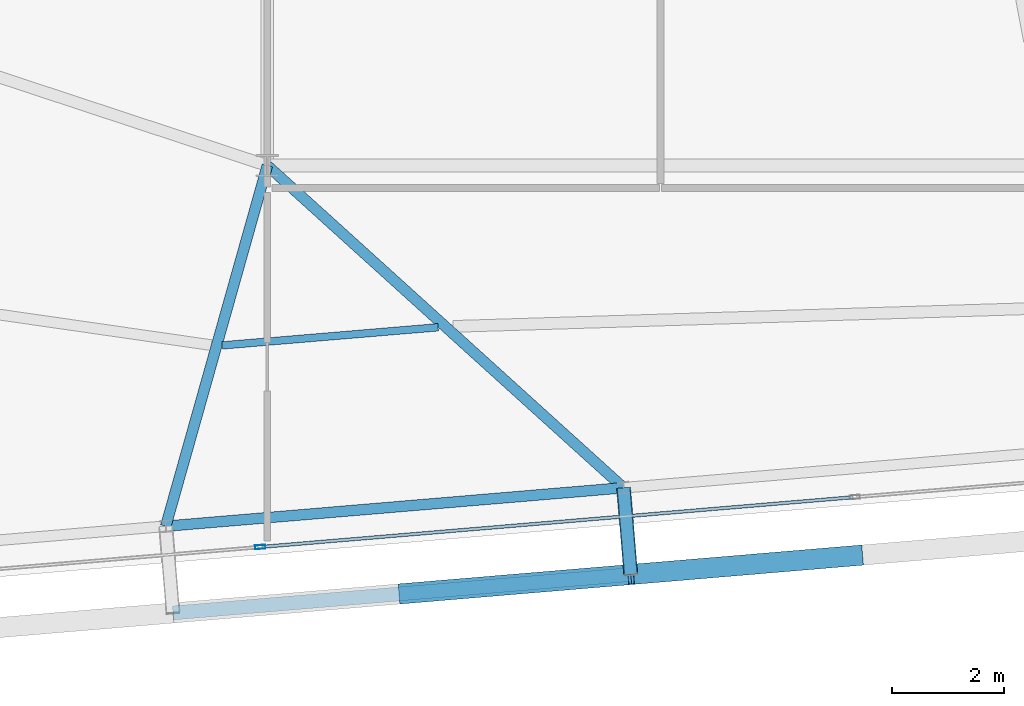
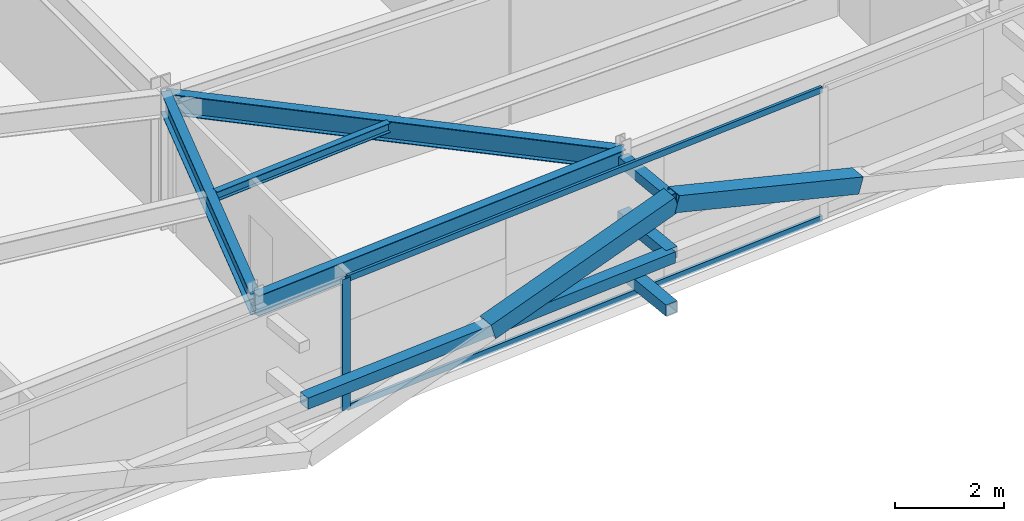
# One storey, part 9 of 39: 9 members, 4 beams, 1 element without a shape of its own.
"""IFC4 building model written with IfcOpenShell, lengths in metres."""

from ifc_helpers import new_model, si_unit, direction, frame, origin, origin_2d, place, context, subcontext, project, spatial, hollow_rectangle, i_section, extrude, source, transform, mapped, material, layer, layer_set, material_profile, profile_set, type_object, element, aggregate, save


model = new_model("IFC4")

# Units and contexts
model_context = context("Model", 3, precision=1e-05, world=origin(), true_north=direction((0.0, 1.0)))
body_context = subcontext(model_context, "Body", "Model", "MODEL_VIEW")
ifc_project = project(units=[si_unit("LENGTHUNIT", "METRE"), si_unit("AREAUNIT", "SQUARE_METRE"), si_unit("VOLUMEUNIT", "CUBIC_METRE"), si_unit("PLANEANGLEUNIT", "RADIAN"), si_unit("MASSUNIT", "GRAM", prefix="KILO")], contexts=[model_context])

# Site, building, storey
site_placement = place(None, origin())
site = spatial("IfcSite", under=ifc_project, at=site_placement, CompositionType="ELEMENT")
building_placement = place(site_placement, origin())
building = spatial("IfcBuilding", under=site, at=building_placement, Name="Taldren Reach Tower", CompositionType="ELEMENT")
storey_placement = place(building_placement, frame((0.0, 0.0, 175.699951171875)))
storey = spatial("IfcBuildingStorey", under=building, at=storey_placement, Name="L53", CompositionType="ELEMENT", Elevation=175.699951171875)

# Members
ifc_material_1 = material(Name="Steel Gr 350 (C350L0)", Category="steel")
ifc_material_profile_1 = material_profile(ifc_material_1, hollow_rectangle(XDim=0.25, YDim=0.25, WallThickness=0.010009765625, at=origin_2d()), Name="250x250x10.0SHS")
ifc_profile_set_1 = profile_set([ifc_material_profile_1], Name="Steel Gr 350 (C350L0)")
member_type_1 = type_object("IfcMemberType", Name="MB-POST250", PredefinedType="POST", material=ifc_profile_set_1)
shared_shape_1 = source(origin(), body_context, "Body", "SweptSolid", [
    extrude(hollow_rectangle(XDim=0.25, YDim=0.25, WallThickness=0.010009765625, at=origin_2d()), origin(), (0.0, 0.0, 1.0), 1.5498046875),
])
for number, where, z_axis, x_axis, name in (
    (1, (34.34228515625, 3.462890625, 0.219970703125), (0.083645141657, -0.996495604746, 0.0), (0.996495604746, 0.083645141657, 0.0), "Exoskeleton base diaphragm tie strut B4-S3 L53"),
    (2, (34.34228515625, 3.462890625, 1.43505859375), (0.083645141657, -0.996495604746, 0.0), (0.996495604746, 0.083645141657, 0.0), "Exoskeleton mid-tier diaphragm tie B4-S3 L53"),
):
    element("IfcMember", number, at=place(storey_placement, frame(where, z_axis=z_axis, x_axis=x_axis)), inside=storey, type_object=member_type_1, Name=name, PredefinedType="POST", context=body_context, shape_type="MappedRepresentation", body=[
        mapped(shared_shape_1, transform((0.0, 0.0, 0.0), scale=1.0)),
    ])

# Beams
ifc_material_2 = material(Name="Steel Gr 350 (350PLUS)", Category="steel")
ifc_material_profile_2 = material_profile(ifc_material_2, i_section(OverallWidth=0.18994140625, OverallDepth=0.4541015625, WebThickness=0.008544921875, FlangeThickness=0.0126953125, at=origin_2d()), Name="460UB67.1")
ifc_profile_set_2 = profile_set([ifc_material_profile_2], Name="Steel Gr 350 (350PLUS)")
beam_type_1 = type_object("IfcBeamType", Name="SP-UB460B", PredefinedType="SPANDREL", material=ifc_profile_set_2)
shared_shape_2 = source(origin(), body_context, "Body", "SweptSolid", [
    extrude(i_section(OverallWidth=0.18994140625, OverallDepth=0.4541015625, WebThickness=0.008544921875, FlangeThickness=0.0126953125, at=origin_2d()), origin(), (0.0, 0.0, 1.0), 8.179931640625),
])
beam_1_placement = place(storey_placement, frame((26.19091796875, 2.778564453125, 2.703125), z_axis=(0.996494523218, 0.083658025296, 0.0), x_axis=(-0.083658025296, 0.996494523218, 0.0)))
element("IfcBeam", 3, at=beam_1_placement, inside=storey, type_object=beam_type_1, Name="Perimeter spandrel B4 S2-S3 L53", PredefinedType="SPANDREL", context=body_context, shape_type="MappedRepresentation", body=[
    mapped(shared_shape_2, transform((0.0, 0.0, 0.0), scale=1.0)),
])
ifc_material_profile_3 = material_profile(ifc_material_2, i_section(OverallWidth=0.19091796875, OverallDepth=0.4599609375, WebThickness=0.010009765625, FlangeThickness=0.01611328125, at=origin_2d()), Name="460UB82.1")
ifc_profile_set_3 = profile_set([ifc_material_profile_3], Name="Steel Gr 350 (350PLUS)")
beam_type_2 = type_object("IfcBeamType", Name="BM-UB460A", PredefinedType="BEAM", material=ifc_profile_set_3)
shared_shape_3 = source(origin(), body_context, "Body", "SweptSolid", [
    extrude(i_section(OverallWidth=0.19091796875, OverallDepth=0.4599609375, WebThickness=0.010009765625, FlangeThickness=0.01611328125, at=origin_2d()), origin(), (0.0, 0.0, 1.0), 6.67138671875),
])
beam_2_placement = place(storey_placement, frame((28.0, 9.199951171875, 2.699951171875), z_axis=(-0.271171579948, -0.962531025073, 0.0), x_axis=(0.962531025073, -0.271171579948, 0.0)))
element("IfcBeam", 4, at=beam_2_placement, inside=storey, type_object=beam_type_2, Name="Primary floor girder B4-S2 L53", PredefinedType="BEAM", context=body_context, shape_type="MappedRepresentation", body=[
    mapped(shared_shape_3, transform((0.0, 0.0, 0.0), scale=1.0)),
])
shared_shape_4 = source(origin(), body_context, "Body", "SweptSolid", [
    extrude(i_section(OverallWidth=0.19091796875, OverallDepth=0.4599609375, WebThickness=0.010009765625, FlangeThickness=0.01611328125, at=origin_2d()), origin(), (0.0, 0.0, 1.0), 8.552001953125),
])
beam_3_placement = place(storey_placement, frame((28.0, 9.199951171875, 2.699951171875), z_axis=(0.741605435155, -0.670836327689, 0.0), x_axis=(0.670836327689, 0.741605435155, 0.0)))
element("IfcBeam", 5, at=beam_3_placement, inside=storey, type_object=beam_type_2, Name="Primary floor girder B4-S3 L53", PredefinedType="BEAM", context=body_context, shape_type="MappedRepresentation", body=[
    mapped(shared_shape_4, transform((0.0, 0.0, 0.0), scale=1.0)),
])
ifc_material_3 = material(Name="Steel Gr 300 (300PLUS, 300 MPa)", Category="steel")
ifc_material_profile_4 = material_profile(ifc_material_3, i_section(OverallWidth=0.134033203125, OverallDepth=0.20703125, WebThickness=0.00634765625, FlangeThickness=0.009521484375, at=origin_2d()), Name="200UB29.8")
ifc_profile_set_4 = profile_set([ifc_material_profile_4], Name="Steel Gr 300 (300PLUS, 300 MPa)")
beam_type_3 = type_object("IfcBeamType", Name="JS-UB200", PredefinedType="JOIST", material=ifc_profile_set_4)
shared_shape_5 = source(origin(), body_context, "Body", "SweptSolid", [
    extrude(i_section(OverallWidth=0.134033203125, OverallDepth=0.20703125, WebThickness=0.00634765625, FlangeThickness=0.009521484375, at=origin_2d()), origin(), (0.0, 0.0, 1.0), 3.857177734375),
])
beam_4_placement = place(storey_placement, frame((27.197021484375, 5.997802734375, 2.82666015625), z_axis=(0.996493179166, 0.083674033464, 0.0), x_axis=(-0.083674033464, 0.996493179166, 0.0)))
element("IfcBeam", 6, at=beam_4_placement, inside=storey, type_object=beam_type_3, Name="Secondary floor joist B4 J2 L53", PredefinedType="JOIST", context=body_context, shape_type="MappedRepresentation", body=[
    mapped(shared_shape_5, transform((0.0, 0.0, 0.0), scale=1.0)),
])

# Members
ifc_material_4 = material(Name="Steel Gr 450 (C450L0)", Category="steel")
ifc_material_profile_5 = material_profile(ifc_material_4, hollow_rectangle(XDim=0.219970703125, YDim=0.219970703125, WallThickness=0.00830078125, at=origin_2d()), Name="220x220x8.2SHS")
ifc_profile_set_5 = profile_set([ifc_material_profile_5], Name="Steel Gr 450 (C450L0)")
member_type_2 = type_object("IfcMemberType", Name="MB-TIE219", PredefinedType="STRUT", material=ifc_profile_set_5)
shared_shape_6 = source(origin(), body_context, "Body", "SweptSolid", [
    extrude(hollow_rectangle(XDim=0.219970703125, YDim=0.219970703125, WallThickness=0.00830078125, at=origin_2d()), origin(), (0.0, 0.0, 1.0), 1.5498046875),
])
member_1_placement = place(storey_placement, frame((34.34228515625, 3.462890625, 2.650146484375), z_axis=(0.083645141657, -0.996495604746, 0.0), x_axis=(0.996495604746, 0.083645141657, 0.0)))
element("IfcMember", 7, at=member_1_placement, inside=storey, type_object=member_type_2, Name="Exoskeleton diaphragm tie strut B4-S3 L53", PredefinedType="STRUT", context=body_context, shape_type="MappedRepresentation", body=[
    mapped(shared_shape_6, transform((0.0, 0.0, 0.0), scale=1.0)),
])
shared_shape_7 = source(origin(), body_context, "Body", "SweptSolid", [
    extrude(hollow_rectangle(XDim=0.25, YDim=0.25, WallThickness=0.010009765625, at=origin_2d()), origin(), (0.0, 0.0, 1.0), 8.18017578125),
])
member_2_placement = place(storey_placement, frame((26.320556640625, 1.23388671875, 1.43505859375), z_axis=(0.996492034688, 0.083687662192, 0.0), x_axis=(-0.083687662192, 0.996492034688, 0.0)))
element("IfcMember", 8, at=member_2_placement, inside=storey, type_object=member_type_1, Name="Exoskeleton mid-height ring chord B4-S2 L53", PredefinedType="POST", context=body_context, shape_type="MappedRepresentation", body=[
    mapped(shared_shape_7, transform((0.0, 0.0, 0.0), scale=1.0)),
])
ifc_material_profile_6 = material_profile(ifc_material_4, hollow_rectangle(XDim=0.360107421875, YDim=0.360107421875, WallThickness=0.0126953125, at=origin_2d()), Name="360x360x12.7SHS")
ifc_profile_set_6 = profile_set([ifc_material_profile_6], Name="Steel Gr 450 (C450L0)")
member_type_3 = type_object("IfcMemberType", Name="MB-EXO356", PredefinedType="BRACE", material=ifc_profile_set_6)
shared_shape_8 = source(origin(), body_context, "Body", "SweptSolid", [
    extrude(hollow_rectangle(XDim=0.360107421875, YDim=0.360107421875, WallThickness=0.0126953125, at=origin_2d()), origin(), (0.0, 0.0, 1.0), 4.2666015625),
])
for number, where, z_axis, x_axis, name in (
    (9, (30.396240234375, 1.576171875, 1.43505859375), (0.955229159097, 0.080222312271, 0.284783486572), (-0.083687662192, 0.996492034688, 0.0), "Exoskeleton Diagrid Brace B4-S2 L53"),
    (10, (38.547607421875, 2.2607421875, 1.43505859375), (-0.955229159097, -0.080222312271, 0.284783486572), (0.083687662192, -0.996492034688, 0.0), "Exoskeleton Diagrid Brace B4-S3 L53"),
):
    element("IfcMember", number, at=place(storey_placement, frame(where, z_axis=z_axis, x_axis=x_axis)), inside=storey, type_object=member_type_3, Name=name, PredefinedType="BRACE", context=body_context, shape_type="MappedRepresentation", body=[
        mapped(shared_shape_8, transform((0.0, 0.0, 0.0), scale=1.0)),
    ])

# Curtain wall, members
ifc_material_5 = material(Name="Aluminium and Low-E Glass Unitised System", Category="aluminium")
ifc_layer = layer(ifc_material_5, 0.159912109375)
ifc_layer_set = layer_set([ifc_layer], Name="Aluminium and Low-E Glass Unitised System")
curtain_wall_type = type_object("IfcCurtainWallType", Name="CW-SYS-5", PredefinedType="NOTDEFINED", material=ifc_layer_set)
curtain_wall_placement = place(storey_placement, origin())
curtain_wall = element("IfcCurtainWall", 11, at=curtain_wall_placement, inside=storey, type_object=curtain_wall_type, Name="Unitised curtain wall CW-L53-S", PredefinedType="NOTDEFINED")
ifc_material_6 = material(Name="Anodised Aluminium 6063-T6", Category="aluminium")
ifc_material_profile_7 = material_profile(ifc_material_6, hollow_rectangle(XDim=0.070068359375, YDim=0.179931640625, WallThickness=0.00390625, at=origin_2d()), Name="ALU-180x70x4RHS")
ifc_profile_set_7 = profile_set([ifc_material_profile_7], Name="Anodised Aluminium 6063-T6")
member_type_4 = type_object("IfcMemberType", Name="CW-MUL-180", PredefinedType="MULLION", material=ifc_profile_set_7)
shared_shape_9 = source(origin(), body_context, "Body", "SweptSolid", [
    extrude(hollow_rectangle(XDim=0.070068359375, YDim=0.179931640625, WallThickness=0.00390625, at=origin_2d()), origin(), (0.0, 0.0, 1.0), 2.929931640625),
])
member_3_placement = place(storey_placement, frame((27.872802734375, 2.407958984375, 0.0), z_axis=(0.0, 0.0, 1.0), x_axis=(-0.083677894865, 0.996492854922, 0.0)))
member_3 = element("IfcMember", 12, at=member_3_placement, type_object=member_type_4, Name="CW-5 mullion 2", PredefinedType="MULLION", context=body_context, shape_type="MappedRepresentation", body=[
    mapped(shared_shape_9, transform((0.0, 0.0, 0.0), scale=1.0)),
])
ifc_material_profile_8 = material_profile(ifc_material_6, hollow_rectangle(XDim=0.06005859375, YDim=0.135009765625, WallThickness=0.00341796875, at=origin_2d()), Name="ALU-135x60x3.5RHS")
ifc_profile_set_8 = profile_set([ifc_material_profile_8], Name="Anodised Aluminium 6063-T6")
member_type_5 = type_object("IfcMemberType", Name="CW-TRN-150", PredefinedType="USERDEFINED", material=ifc_profile_set_8)
shared_shape_10 = source(origin(), body_context, "Body", "SweptSolid", [
    extrude(hollow_rectangle(XDim=0.06005859375, YDim=0.135009765625, WallThickness=0.00341796875, at=origin_2d()), origin(), (0.0, 0.0, 1.0), 10.55517578125),
])
member_4_placement = place(storey_placement, frame((27.90771484375, 2.410888671875, 0.030029296875), z_axis=(0.996492274094, 0.083684811468, 0.0), x_axis=(-0.083684811468, 0.996492274094, 0.0)))
member_4 = element("IfcMember", 13, at=member_4_placement, type_object=member_type_5, Name="CW-5 transom 2.1", ObjectType="TRANSOM", PredefinedType="USERDEFINED", context=body_context, shape_type="MappedRepresentation", body=[
    mapped(shared_shape_10, transform((0.0, 0.0, 0.0), scale=1.0)),
])
member_5_placement = place(storey_placement, frame((27.90771484375, 2.410888671875, 2.900146484375), z_axis=(0.996492274094, 0.083684811468, 0.0), x_axis=(-0.083684811468, 0.996492274094, 0.0)))
member_5 = element("IfcMember", 14, at=member_5_placement, type_object=member_type_5, Name="CW-5 transom 2.2", ObjectType="TRANSOM", PredefinedType="USERDEFINED", context=body_context, shape_type="MappedRepresentation", body=[
    mapped(shared_shape_10, transform((0.0, 0.0, 0.0), scale=1.0)),
])
aggregate(curtain_wall, [member_3, member_4, member_5])

save(model, "model.ifc")
